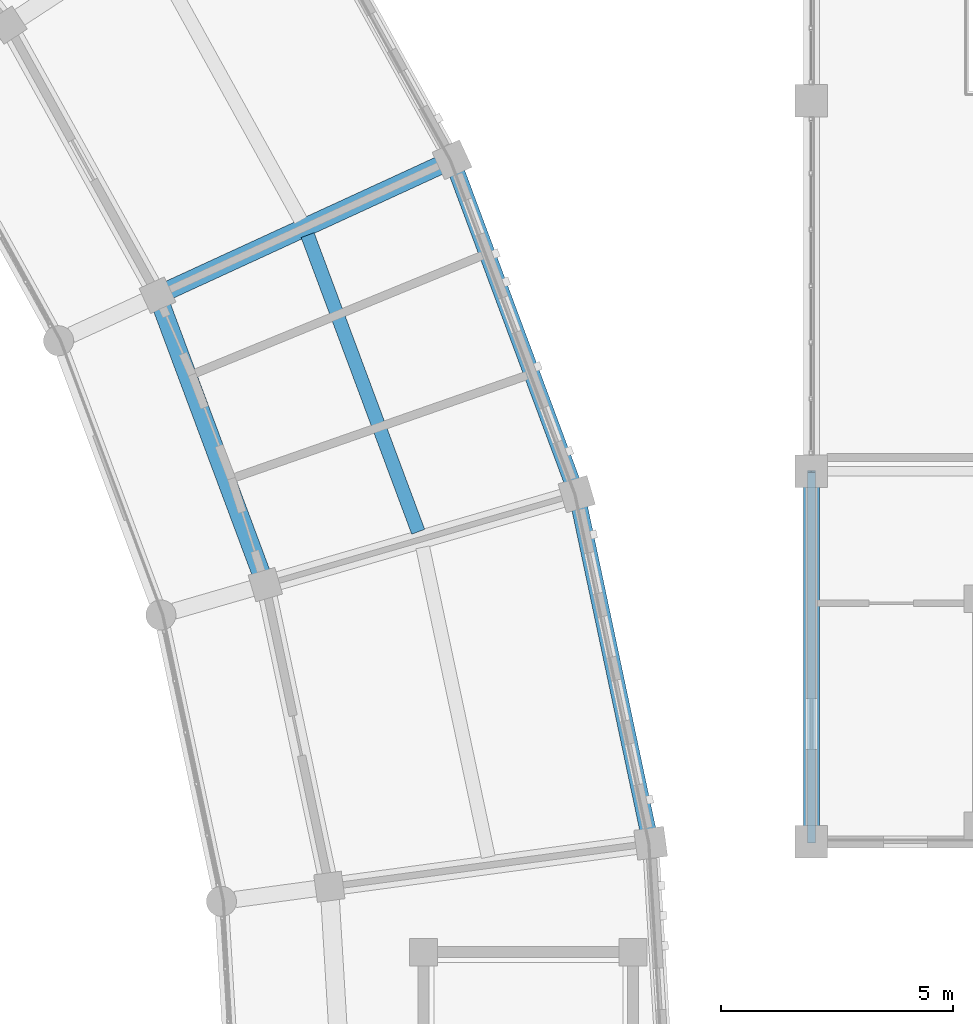
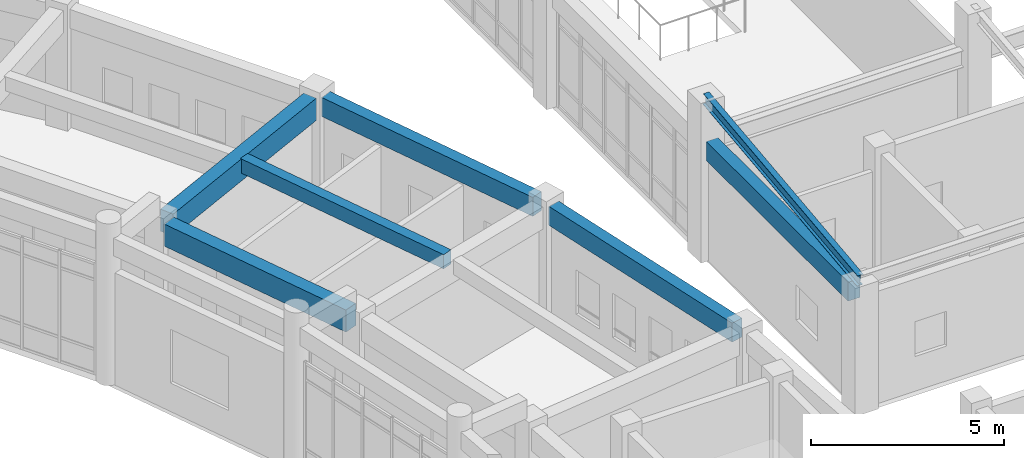
# One storey, part 90 of 159: 6 beams, 1 member.
"""IFC4 building model written with IfcOpenShell, lengths in metres."""

from ifc_helpers import new_model, si_unit, direction, frame, origin, origin_2d, place, context, subcontext, project, spatial, rectangle, i_section, extrude, material, material_profile, profile_set, type_object, element, save


model = new_model("IFC4")

# Units and contexts
model_context = context("Model", 3, precision=1e-05, world=origin(), true_north=direction((0.0, 1.0)))
body_context = subcontext(model_context, "Body", "Model", "MODEL_VIEW")
ifc_project = project(units=[si_unit("LENGTHUNIT", "METRE"), si_unit("AREAUNIT", "SQUARE_METRE"), si_unit("VOLUMEUNIT", "CUBIC_METRE"), si_unit("PLANEANGLEUNIT", "RADIAN"), si_unit("MASSUNIT", "GRAM", prefix="KILO")], contexts=[model_context])

# Site, building, storey
site_placement = place(None, origin())
site = spatial("IfcSite", under=ifc_project, at=site_placement, CompositionType="ELEMENT")
building_placement = place(site_placement, origin())
building = spatial("IfcBuilding", under=site, at=building_placement, Name="Celadon Cloister-Ring School", CompositionType="ELEMENT")
storey_placement = place(building_placement, frame((0.0, 0.0, 4.5)))
storey = spatial("IfcBuildingStorey", under=building, at=storey_placement, Name="L01", CompositionType="ELEMENT", Elevation=4.5)

# Beams
ifc_material_1 = material(Name="Concrete C35/45", Category="concrete")
ifc_material_profile_1 = material_profile(ifc_material_1, rectangle(XDim=0.35009765625, YDim=0.60009765625, at=origin_2d()), Name="RC350X600")
ifc_profile_set_1 = profile_set([ifc_material_profile_1], Name="Concrete C35/45")
beam_type_1 = type_object("IfcBeamType", Name="BT-02", PredefinedType="BEAM", material=ifc_profile_set_1)
beam_1_placement = place(storey_placement, frame((142.0, 66.324951171875, 3.47998046875), z_axis=(0.0, 1.0, 0.0), x_axis=(-1.0, 0.0, 0.0)))
element("IfcBeam", 1, at=beam_1_placement, inside=storey, type_object=beam_type_1, Name="Beam 1168", PredefinedType="BEAM", context=body_context, shape_type="SweptSolid", body=[
    extrude(rectangle(XDim=0.35009765625, YDim=0.60009765625, at=origin_2d()), origin(), (0.0, 0.0, 1.0), 7.35009765625),
])
ifc_material_2 = material(Name="Concrete C35/45", Category="concrete")
ifc_material_profile_2 = material_profile(ifc_material_2, rectangle(XDim=0.39990234375, YDim=0.699951171875, at=origin_2d()), Name="RC400X700")
ifc_profile_set_2 = profile_set([ifc_material_profile_2], Name="Concrete C35/45")
beam_type_2 = type_object("IfcBeamType", Name="GT-03", PredefinedType="USERDEFINED", material=ifc_profile_set_2)
beam_2_placement = place(storey_placement, frame((133.970947265625, 80.60107421875, 3.429931640625), z_axis=(-0.90848583601, -0.417915644322, 0.0), x_axis=(0.417915644322, -0.90848583601, 0.0)))
element("IfcBeam", 2, at=beam_2_placement, inside=storey, type_object=beam_type_2, Name="Beam 0257", ObjectType="GIRDER", PredefinedType="USERDEFINED", context=body_context, shape_type="SweptSolid", body=[
    extrude(rectangle(XDim=0.39990234375, YDim=0.699951171875, at=origin_2d()), origin(), (0.0, 0.0, 1.0), 6.4248046875),
])
beam_3_placement = place(storey_placement, frame((130.116943359375, 71.81298828125, 3.429931640625), z_axis=(-0.349434130372, 0.936960932233, 0.0), x_axis=(-0.936960932233, -0.349434130372, 0.0)))
element("IfcBeam", 3, at=beam_3_placement, inside=storey, type_object=beam_type_2, Name="Beam 0378", ObjectType="GIRDER", PredefinedType="USERDEFINED", context=body_context, shape_type="SweptSolid", body=[
    extrude(rectangle(XDim=0.39990234375, YDim=0.699951171875, at=origin_2d()), origin(), (0.0, 0.0, 1.0), 6.115478515625),
])
ifc_material_3 = material(Name="Concrete C35/45", Category="concrete")
ifc_material_profile_3 = material_profile(ifc_material_3, rectangle(XDim=0.300048828125, YDim=0.449951171875, at=origin_2d()), Name="RC300X450")
ifc_profile_set_3 = profile_set([ifc_material_profile_3], Name="Concrete C35/45")
beam_type_3 = type_object("IfcBeamType", Name="JT-01", PredefinedType="JOIST", material=ifc_profile_set_3)
beam_4_placement = place(storey_placement, frame((133.512939453125, 72.695068359375, 3.554931640625), z_axis=(-0.349380854663, 0.936980799374, 0.0), x_axis=(-0.936980799374, -0.349380854663, 0.0)))
element("IfcBeam", 4, at=beam_4_placement, inside=storey, type_object=beam_type_3, Name="Beam 0380", PredefinedType="JOIST", context=body_context, shape_type="SweptSolid", body=[
    extrude(rectangle(XDim=0.300048828125, YDim=0.449951171875, at=origin_2d()), origin(), (0.0, 0.0, 1.0), 6.834716796875),
])

# Member
ifc_material_4 = material(Name="Structural steel S355JR", Category="steel")
ifc_material_profile_4 = material_profile(ifc_material_4, i_section(OverallWidth=0.1708984375, OverallDepth=0.35498046875, WebThickness=0.007080078125, FlangeThickness=0.01171875, at=origin_2d()), Name="W360X51")
ifc_profile_set_4 = profile_set([ifc_material_profile_4], Name="Structural steel S355JR")
member_type = type_object("IfcMemberType", Name="MR-05", PredefinedType="RAFTER", material=ifc_profile_set_4)
member_placement = place(storey_placement, frame((142.0, 66.0, 3.97998046875), z_axis=(0.0, 0.993453474255, 0.114237447845), x_axis=(-1.0, 0.0, 0.0)))
element("IfcMember", 5, at=member_placement, inside=storey, type_object=member_type, Name="Structural Member 0583", PredefinedType="RAFTER", context=body_context, shape_type="SweptSolid", body=[
    extrude(i_section(OverallWidth=0.1708984375, OverallDepth=0.35498046875, WebThickness=0.007080078125, FlangeThickness=0.01171875, at=origin_2d()), origin(), (0.0, 0.0, 1.0), 8.052734375),
])

# Beams
ifc_material_5 = material(Name="Concrete C35/45", Category="concrete")
ifc_material_profile_5 = material_profile(ifc_material_5, rectangle(XDim=0.35009765625, YDim=0.60009765625, at=origin_2d()), Name="RC350X600")
ifc_profile_set_5 = profile_set([ifc_material_profile_5], Name="Concrete C35/45")
beam_type_4 = type_object("IfcBeamType", Name="SP-01", PredefinedType="SPANDREL", material=ifc_profile_set_5)
beam_5_placement = place(storey_placement, frame((138.468994140625, 66.263916015625, 3.47998046875), z_axis=(-0.207158448317, 0.978307404291, 0.0), x_axis=(-0.978307404291, -0.207158448317, 0.0)))
element("IfcBeam", 6, at=beam_5_placement, inside=storey, type_object=beam_type_4, Name="Beam 0373", PredefinedType="SPANDREL", context=body_context, shape_type="SweptSolid", body=[
    extrude(rectangle(XDim=0.35009765625, YDim=0.60009765625, at=origin_2d()), origin(), (0.0, 0.0, 1.0), 7.105224609375),
])
beam_6_placement = place(storey_placement, frame((136.830078125, 73.7890625, 3.47998046875), z_axis=(-0.34926584062, 0.937023677703, 0.0), x_axis=(-0.937023677703, -0.34926584062, 0.0)))
element("IfcBeam", 7, at=beam_6_placement, inside=storey, type_object=beam_type_4, Name="Beam 0377", PredefinedType="SPANDREL", context=body_context, shape_type="SweptSolid", body=[
    extrude(rectangle(XDim=0.35009765625, YDim=0.60009765625, at=origin_2d()), origin(), (0.0, 0.0, 1.0), 7.103271484375),
])

save(model, "model.ifc")
